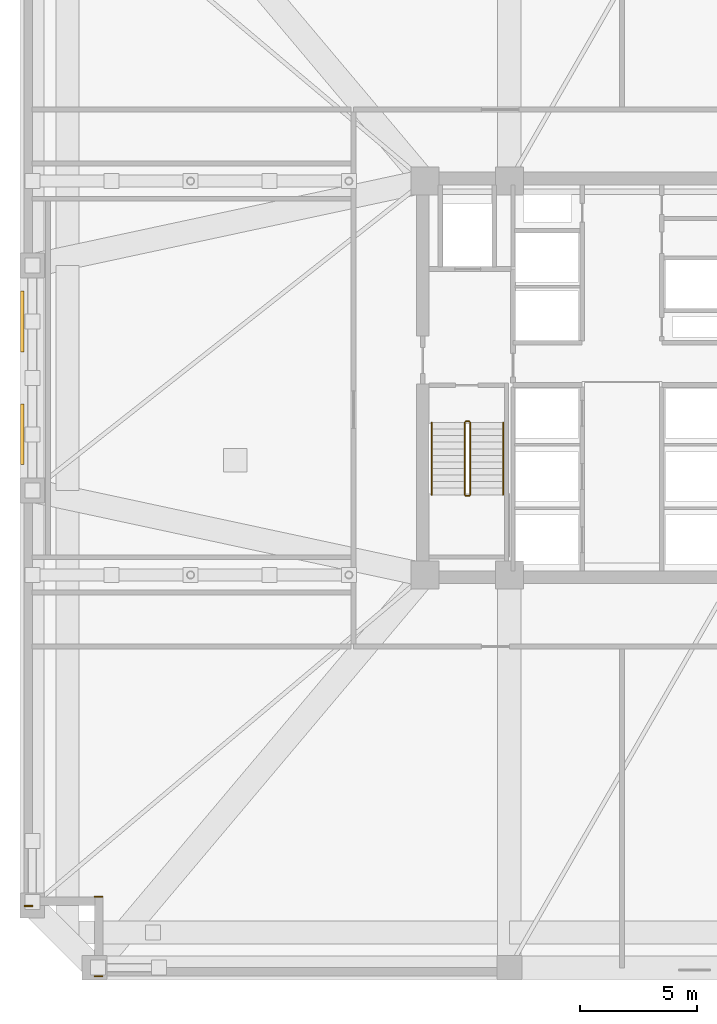
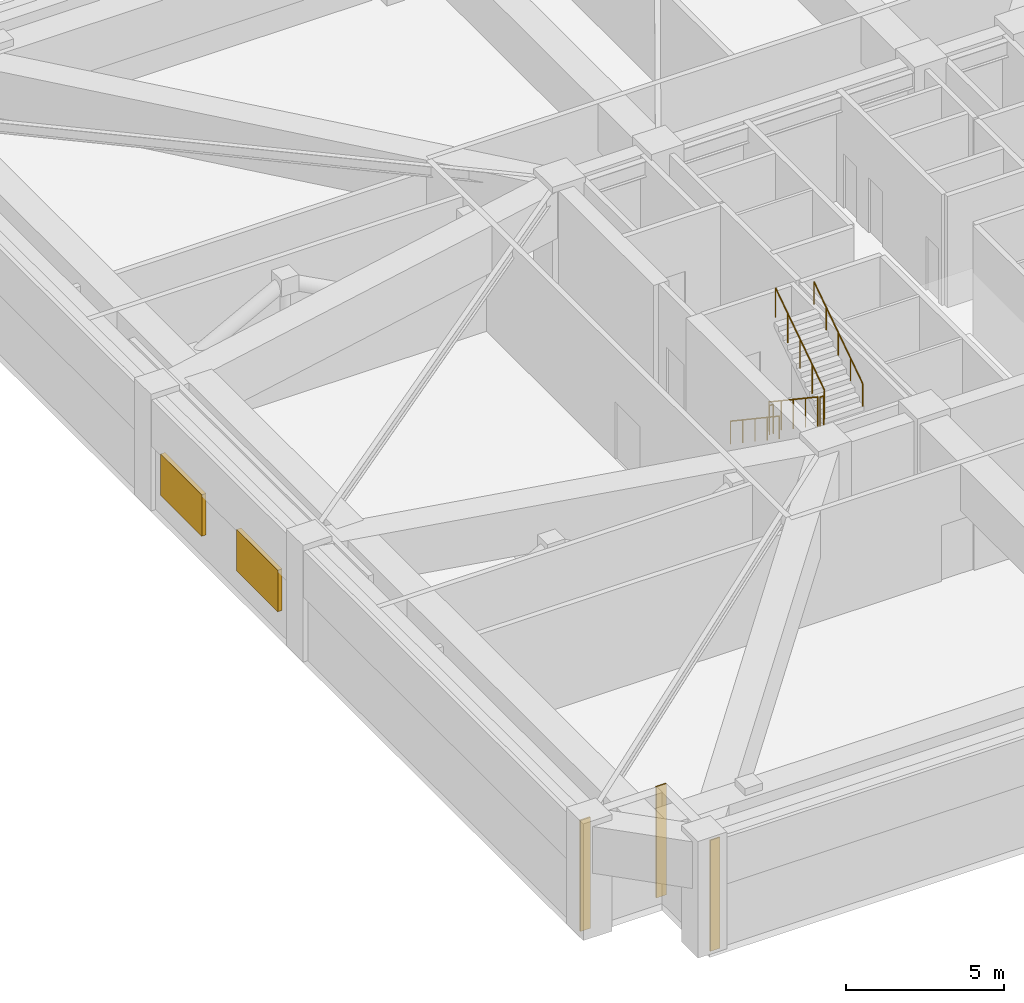
# One storey, part 9 of 13: 6 railings, 3 coverings, 2 shading devices.
"""IFC4 building model written with IfcOpenShell, lengths in metres."""

from ifc_helpers import new_model, si_unit, direction, frame, frame_2d, origin, origin_2d, place, context, subcontext, project, spatial, rectangle, circle, extrude, material, layer, layer_set, type_object, element, save


model = new_model("IFC4")

# Units and contexts
model_context = context("Model", 3, precision=1e-05, world=origin(), true_north=direction((0.0, 1.0)))
body_context = subcontext(model_context, "Body", "Model", "MODEL_VIEW")
ifc_project = project(units=[si_unit("LENGTHUNIT", "METRE"), si_unit("AREAUNIT", "SQUARE_METRE"), si_unit("VOLUMEUNIT", "CUBIC_METRE"), si_unit("PLANEANGLEUNIT", "RADIAN"), si_unit("MASSUNIT", "GRAM", prefix="KILO")], contexts=[model_context])

# Site, building, storey
site_placement = place(None, origin())
site = spatial("IfcSite", under=ifc_project, at=site_placement, CompositionType="ELEMENT")
building_placement = place(site_placement, origin())
building = spatial("IfcBuilding", under=site, at=building_placement, Name="Cairnveth Concourse Tower", CompositionType="ELEMENT")
storey_placement = place(building_placement, frame((0.0, 0.0, 97.0)))
storey = spatial("IfcBuildingStorey", under=building, at=storey_placement, Name="L26", CompositionType="ELEMENT", Elevation=97.0)

# Coverings
ifc_material_1 = material(Name="Dressed Melbourne Bluestone Cladding", Category="masonry")
ifc_layer = layer(ifc_material_1, 0.050048828125)
ifc_layer_set = layer_set([ifc_layer], Name="Dressed Melbourne Bluestone Cladding")
covering_type = type_object("IfcCoveringType", Name="DRESSED BLUESTONE PLINTH CLADDING 50", PredefinedType="CLADDING", material=ifc_layer_set)
for number, where, z_axis, x_axis, name in (
    (1, (29.860107421875, 13.47998046875, 0.0), (0.0, 0.0, 1.0), (-1.0, 0.0, 0.0), "Melbourne Bluestone Corner Quoin L26-359"),
    (2, (29.860107421875, 16.8798828125, 0.0), (0.0, 0.0, 1.0), (-1.0, 0.0, 0.0), "Melbourne Bluestone Corner Quoin L26-360"),
    (3, (26.860107421875, 16.47998046875, 0.0), (0.0, 0.0, 1.0), (-1.0, 0.0, 0.0), "Melbourne Bluestone Corner Quoin L26-361"),
):
    element("IfcCovering", number, at=place(storey_placement, frame(where, z_axis=z_axis, x_axis=x_axis)), inside=storey, type_object=covering_type, Name=name, PredefinedType="CLADDING", context=body_context, shape_type="SweptSolid", body=[
        extrude(rectangle(XDim=0.360107421875, YDim=0.050048828125, at=frame_2d((0.18017578125, 0.0))), origin(), (0.0, 0.0, 1.0), 4.280029296875),
    ])

# Shading devices
ifc_material_2 = material(Name="Architectural Bronze Anodised Aluminium 6063-T6", Category="aluminium")
shading_device_type = type_object("IfcShadingDeviceType", Name="PLANT ACOUSTIC WEATHER LOUVRE", PredefinedType="JALOUSIE", material=ifc_material_2)
for number, where, z_axis, x_axis, name in (
    (4, (26.424072265625, 36.60009765625, 0.949951171875), (0.0, 0.0, 1.0), (1.0, 0.0, 0.0), "Plant Acoustic Weather Louvre L26-2-1"),
    (5, (26.424072265625, 41.39990234375, 0.949951171875), (0.0, 0.0, 1.0), (1.0, 0.0, 0.0), "Plant Acoustic Weather Louvre L26-2-2"),
):
    element("IfcShadingDevice", number, at=place(storey_placement, frame(where, z_axis=z_axis, x_axis=x_axis)), inside=storey, type_object=shading_device_type, Name=name, PredefinedType="JALOUSIE", context=body_context, shape_type="SweptSolid", body=[
        extrude(rectangle(XDim=0.159912109375, YDim=2.60009765625, at=origin_2d()), origin(), (0.0, 0.0, 1.0), 1.60009765625),
    ])

# Railings
ifc_material_3 = material(Name="Steel Grade 350", Category="steel")
railing_type_1 = type_object("IfcRailingType", Name="STAIR GUARDRAIL 1150", PredefinedType="GUARDRAIL", material=ifc_material_3)
railing_1_placement = place(storey_placement, frame((45.2900390625, 37.10009765625, 0.1875)))
element("IfcRailing", 6, at=railing_1_placement, inside=storey, type_object=railing_type_1, Name="L26 ST-1 stair guard 1", PredefinedType="GUARDRAIL", context=body_context, shape_type="SweptSolid", body=[
    extrude(circle(Radius=0.02392578125, at=origin_2d()), frame((0.0, 0.0, 1.1259765625), z_axis=(0.0, -0.830913701846, 0.55640131208), x_axis=(1.0, 0.0, 0.0)), (0.0, 0.0, 1.0), 3.706787109375),
    extrude(circle(Radius=0.02099609375, at=origin_2d()), origin(), (0.0, 0.0, 1.0), 1.101806640625),
    extrude(circle(Radius=0.02099609375, at=origin_2d()), frame((0.0, -0.77001953125, 0.515625)), (0.0, 0.0, 1.0), 1.101806640625),
    extrude(circle(Radius=0.02099609375, at=origin_2d()), frame((0.0, -1.5400390625, 1.03125)), (0.0, 0.0, 1.0), 1.101806640625),
    extrude(circle(Radius=0.02099609375, at=origin_2d()), frame((0.0, -2.31005859375, 1.546875)), (0.0, 0.0, 1.0), 1.101806640625),
    extrude(circle(Radius=0.02099609375, at=origin_2d()), frame((0.0, -3.080078125, 2.0625)), (0.0, 0.0, 1.0), 1.101806640625),
])
railing_2_placement = place(storey_placement, frame((45.340087890625, 33.969970703125, 2.25)))
element("IfcRailing", 7, at=railing_2_placement, inside=storey, type_object=railing_type_1, Name="L26 ST-1 stair guard 2", PredefinedType="GUARDRAIL", context=body_context, shape_type="SweptSolid", body=[
    extrude(circle(Radius=0.02392578125, at=origin_2d()), frame((0.0, 0.0, 1.1259765625), z_axis=(1.0, 0.0, 0.0), x_axis=(0.0, 1.0, 0.0)), (0.0, 0.0, 1.0), 0.139892578125),
    extrude(circle(Radius=0.02099609375, at=origin_2d()), origin(), (0.0, 0.0, 1.0), 1.101806640625),
    extrude(circle(Radius=0.02099609375, at=origin_2d()), frame((0.139892578125, 0.0, 0.0)), (0.0, 0.0, 1.0), 1.101806640625),
])
railing_3_placement = place(storey_placement, frame((45.530029296875, 34.02001953125, 2.4375)))
element("IfcRailing", 8, at=railing_3_placement, inside=storey, type_object=railing_type_1, Name="L26 ST-1 stair guard 3", PredefinedType="GUARDRAIL", context=body_context, shape_type="SweptSolid", body=[
    extrude(circle(Radius=0.02392578125, at=origin_2d()), frame((0.0, 0.0, 1.1259765625), z_axis=(0.0, 0.830913701846, 0.55640131208), x_axis=(-1.0, 0.0, 0.0)), (0.0, 0.0, 1.0), 3.706787109375),
    extrude(circle(Radius=0.02099609375, at=origin_2d()), origin(), (0.0, 0.0, 1.0), 1.101806640625),
    extrude(circle(Radius=0.02099609375, at=origin_2d()), frame((0.0, 0.77001953125, 0.515625)), (0.0, 0.0, 1.0), 1.101806640625),
    extrude(circle(Radius=0.02099609375, at=origin_2d()), frame((0.0, 1.5400390625, 1.03125)), (0.0, 0.0, 1.0), 1.101806640625),
    extrude(circle(Radius=0.02099609375, at=origin_2d()), frame((0.0, 2.31005859375, 1.546875)), (0.0, 0.0, 1.0), 1.101806640625),
    extrude(circle(Radius=0.02099609375, at=origin_2d()), frame((0.0, 3.080078125, 2.0625)), (0.0, 0.0, 1.0), 1.101806640625),
])
railing_4_placement = place(storey_placement, frame((45.340087890625, 37.14990234375, 0.0)))
element("IfcRailing", 9, at=railing_4_placement, inside=storey, type_object=railing_type_1, Name="L26 ST-1 stair guard 4", PredefinedType="GUARDRAIL", context=body_context, shape_type="SweptSolid", body=[
    extrude(circle(Radius=0.02392578125, at=origin_2d()), frame((0.0, 0.0, 1.1259765625), z_axis=(1.0, 0.0, 0.0), x_axis=(0.0, 1.0, 0.0)), (0.0, 0.0, 1.0), 0.139892578125),
    extrude(circle(Radius=0.02099609375, at=origin_2d()), origin(), (0.0, 0.0, 1.0), 1.101806640625),
    extrude(circle(Radius=0.02099609375, at=origin_2d()), frame((0.139892578125, 0.0, 0.0)), (0.0, 0.0, 1.0), 1.101806640625),
])
railing_type_2 = type_object("IfcRailingType", Name="STAIR WALL HANDRAIL 900", PredefinedType="HANDRAIL", material=ifc_material_3)
railing_5_placement = place(storey_placement, frame((43.889892578125, 37.10009765625, 0.1875)))
element("IfcRailing", 10, at=railing_5_placement, inside=storey, type_object=railing_type_2, Name="L26 ST-1 stair handrail 1", PredefinedType="HANDRAIL", context=body_context, shape_type="SweptSolid", body=[
    extrude(circle(Radius=0.02392578125, at=origin_2d()), frame((0.0, 0.0, 0.8759765625), z_axis=(0.0, -0.830913701846, 0.55640131208), x_axis=(1.0, 0.0, 0.0)), (0.0, 0.0, 1.0), 3.706787109375),
    extrude(circle(Radius=0.02099609375, at=origin_2d()), origin(), (0.0, 0.0, 1.0), 0.851806640625),
    extrude(circle(Radius=0.02099609375, at=origin_2d()), frame((0.0, -0.77001953125, 0.515625)), (0.0, 0.0, 1.0), 0.851806640625),
    extrude(circle(Radius=0.02099609375, at=origin_2d()), frame((0.0, -1.5400390625, 1.03125)), (0.0, 0.0, 1.0), 0.851806640625),
    extrude(circle(Radius=0.02099609375, at=origin_2d()), frame((0.0, -2.31005859375, 1.546875)), (0.0, 0.0, 1.0), 0.851806640625),
    extrude(circle(Radius=0.02099609375, at=origin_2d()), frame((0.0, -3.080078125, 2.0625)), (0.0, 0.0, 1.0), 0.851806640625),
])
railing_6_placement = place(storey_placement, frame((46.929931640625, 34.02001953125, 2.4375)))
element("IfcRailing", 11, at=railing_6_placement, inside=storey, type_object=railing_type_2, Name="L26 ST-1 stair handrail 2", PredefinedType="HANDRAIL", context=body_context, shape_type="SweptSolid", body=[
    extrude(circle(Radius=0.02392578125, at=origin_2d()), frame((0.0, 0.0, 0.8759765625), z_axis=(0.0, 0.830913701846, 0.55640131208), x_axis=(-1.0, 0.0, 0.0)), (0.0, 0.0, 1.0), 3.706787109375),
    extrude(circle(Radius=0.02099609375, at=origin_2d()), origin(), (0.0, 0.0, 1.0), 0.851806640625),
    extrude(circle(Radius=0.02099609375, at=origin_2d()), frame((0.0, 0.77001953125, 0.515625)), (0.0, 0.0, 1.0), 0.851806640625),
    extrude(circle(Radius=0.02099609375, at=origin_2d()), frame((0.0, 1.5400390625, 1.03125)), (0.0, 0.0, 1.0), 0.851806640625),
    extrude(circle(Radius=0.02099609375, at=origin_2d()), frame((0.0, 2.31005859375, 1.546875)), (0.0, 0.0, 1.0), 0.851806640625),
    extrude(circle(Radius=0.02099609375, at=origin_2d()), frame((0.0, 3.080078125, 2.0625)), (0.0, 0.0, 1.0), 0.851806640625),
])

save(model, "model.ifc")
